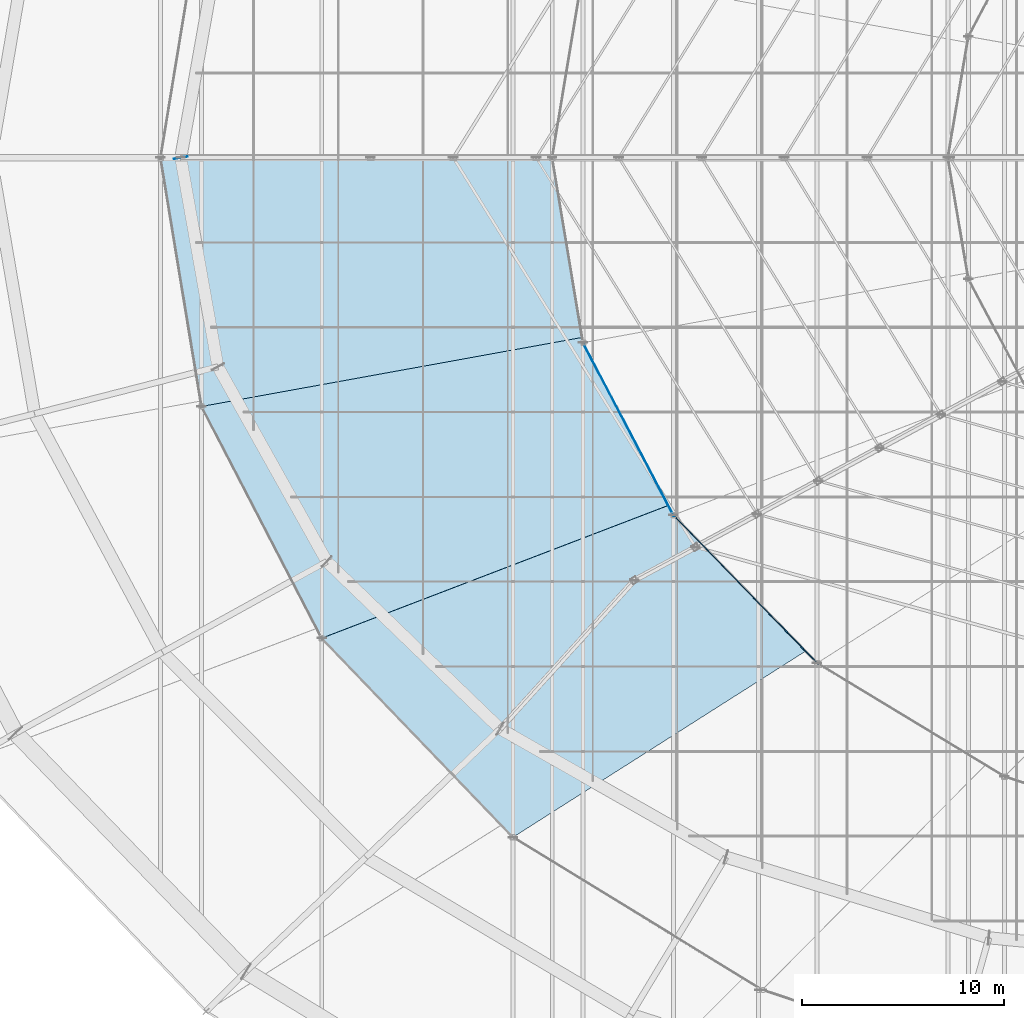
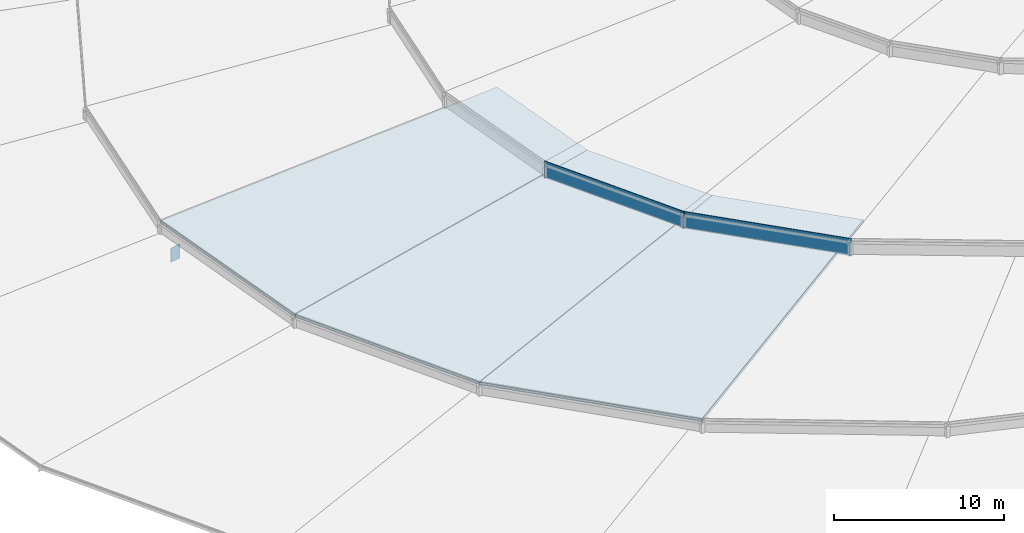
# One storey, part 139 of 184: 3 plates, 3 slabs.
"""IFC4 building model written with IfcOpenShell, lengths in metres."""

from ifc_helpers import new_model, si_unit, direction, frame, origin, origin_2d, place, context, subcontext, project, spatial, polyline, rectangle, outline, extrude, material, layer, layer_set, type_object, element, save


model = new_model("IFC4")

# Units and contexts
model_context = context("Model", 3, precision=1e-05, world=origin(), true_north=direction((0.0, 1.0)))
body_context = subcontext(model_context, "Body", "Model", "MODEL_VIEW")
ifc_project = project(units=[si_unit("LENGTHUNIT", "METRE"), si_unit("AREAUNIT", "SQUARE_METRE"), si_unit("VOLUMEUNIT", "CUBIC_METRE"), si_unit("PLANEANGLEUNIT", "RADIAN"), si_unit("MASSUNIT", "GRAM", prefix="KILO")], contexts=[model_context])

# Site, building, storey
site_placement = place(None, origin())
site = spatial("IfcSite", under=ifc_project, at=site_placement, CompositionType="ELEMENT")
building_placement = place(site_placement, origin())
building = spatial("IfcBuilding", under=site, at=building_placement, Name="Kalgoora Escarpment Arena", CompositionType="ELEMENT")
storey_placement = place(building_placement, frame((0.0, 0.0, 27.60009765625)))
storey = spatial("IfcBuildingStorey", under=building, at=storey_placement, Name="Roof Level", CompositionType="ELEMENT", Elevation=27.60009765625)

# Plates
ifc_material_1 = material(Name="Low-E double-glazed petal clerestory glass", Category="glass")
ifc_layer_1 = layer(ifc_material_1, 0.035888671875)
ifc_layer_set_1 = layer_set([ifc_layer_1], Name="PLT-PETAL-CLERESTORY")
plate_type_1 = type_object("IfcPlateType", Name="PLT-PETAL-CLERESTORY", PredefinedType="USERDEFINED", material=ifc_layer_set_1)
plate_1_placement = place(storey_placement, frame((60.564208984375, 50.56884765625, 2.7099609375), z_axis=(0.0, 0.0, 1.0), x_axis=(0.464223811138, -0.885717930931, 0.0)))
element("IfcPlate", 1, at=plate_1_placement, inside=storey, type_object=plate_type_1, Name="Petal RP3 glazed clerestory collar panel S14", ObjectType="CLERESTORY PANEL", PredefinedType="USERDEFINED", context=body_context, shape_type="SweptSolid", body=[
    extrude(rectangle(XDim=9.784423828125, YDim=0.0400390625, at=origin_2d()), origin(), (0.0, 0.0, 1.0), 1.25),
])
plate_2_placement = place(storey_placement, frame((66.36181640625, 42.63427734375, 2.7099609375), z_axis=(0.0, 0.0, 1.0), x_axis=(0.696664434978, -0.717397145963, 0.0)))
element("IfcPlate", 2, at=plate_2_placement, inside=storey, type_object=plate_type_1, Name="Petal RP3 glazed clerestory collar panel S15", ObjectType="CLERESTORY PANEL", PredefinedType="USERDEFINED", context=body_context, shape_type="SweptSolid", body=[
    extrude(rectangle(XDim=10.372802734375, YDim=0.0400390625, at=origin_2d()), origin(), (0.0, 0.0, 1.0), 1.25),
])
ifc_material_2 = material(Name="Structural steel Grade 350 (350 MPa)", Category="steel")
ifc_layer_2 = layer(ifc_material_2, 0.031982421875)
ifc_layer_set_2 = layer_set([ifc_layer_2], Name="PLT-RING-DIAPH")
plate_type_2 = type_object("IfcPlateType", Name="PLT-RING-DIAPH", PredefinedType="USERDEFINED", material=ifc_layer_set_2)
plate_3_placement = place(storey_placement, frame((38.39990234375, 64.0, -1.760009765625), z_axis=(0.0, 0.0, 1.0), x_axis=(0.175023058975, -0.984564334529, 0.0)))
element("IfcPlate", 3, at=plate_3_placement, inside=storey, type_object=plate_type_2, Name="Inner ring node diaphragm plate 13", ObjectType="FLANGE PLATE", PredefinedType="USERDEFINED", context=body_context, shape_type="SweptSolid", body=[
    extrude(rectangle(XDim=0.031982421875, YDim=0.679931640625, at=origin_2d()), origin(), (0.0, 0.0, 1.0), 1.02001953125),
])

# Slabs
ifc_material_3 = material(Name="White acoustic composite Concrete N40 (fc' 40 MPa)", Category="concrete")
ifc_layer_3 = layer(ifc_material_3, 0.205078125)
ifc_layer_set_3 = layer_set([ifc_layer_3], Name="SLB-PETAL-RP2")
slab_type = type_object("IfcSlabType", Name="SLB-PETAL-RP2", PredefinedType="ROOF", material=ifc_layer_set_3)
slab_1_placement = place(storey_placement, frame((37.39990234375, 64.0, 1.449951171875), z_axis=(-0.069662925377, -0.011474071337, 0.997504597741), x_axis=(0.162660450125, -0.986682105778, 1.0167302e-05)))
element("IfcSlab", 4, at=slab_1_placement, inside=storey, type_object=slab_type, Name="Shifted white roof petal RP2 sector 13", PredefinedType="ROOF", context=body_context, shape_type="SweptSolid", body=[
    extrude(outline(polyline([(0.0, 0.0), (12.486114430258821, 4.440892098500626e-16), (12.123525682093861, 22.679322672545858), (3.7265925942491296, 22.661581990036847), (0.0, 0.0)])), origin(), (0.0, 0.0, -1.0), 0.205078125),
])
slab_2_placement = place(storey_placement, frame((39.430908203125, 51.68017578125, 1.449951171875), z_axis=(-0.065510842099, -0.033968543842, 0.997273516943), x_axis=(0.460401558022, -0.887710766703, 7.070951e-06)))
element("IfcSlab", 5, at=slab_2_placement, inside=storey, type_object=slab_type, Name="Shifted white roof petal RP2 sector 14", PredefinedType="ROOF", context=body_context, shape_type="SweptSolid", body=[
    extrude(outline(polyline([(0.0, 0.0), (12.932396625910313, 0.0), (15.3840690663111, 21.72819058541591), (6.665459606334127, 21.68063897843539), (0.0, 0.0)])), origin(), (0.0, 0.0, -1.0), 0.205078125),
])
slab_3_placement = place(storey_placement, frame((45.385009765625, 40.199951171875, 1.449951171875), z_axis=(-0.057247722318, -0.054999986192, 0.996843869324), x_axis=(0.692821277242, -0.72110933831, 1.440993e-06)))
element("IfcSlab", 6, at=slab_3_placement, inside=storey, type_object=slab_type, Name="Shifted white roof petal RP2 sector 15", PredefinedType="ROOF", context=body_context, shape_type="SweptSolid", body=[
    extrude(outline(polyline([(0.0, 0.0), (13.67081919488411, -1.7763568394002505e-15), (17.733400979504474, 20.21376562429152), (8.484274509711337, 20.15267522774323), (0.0, 0.0)])), origin(), (0.0, 0.0, -1.0), 0.205078125),
])

save(model, "model.ifc")
